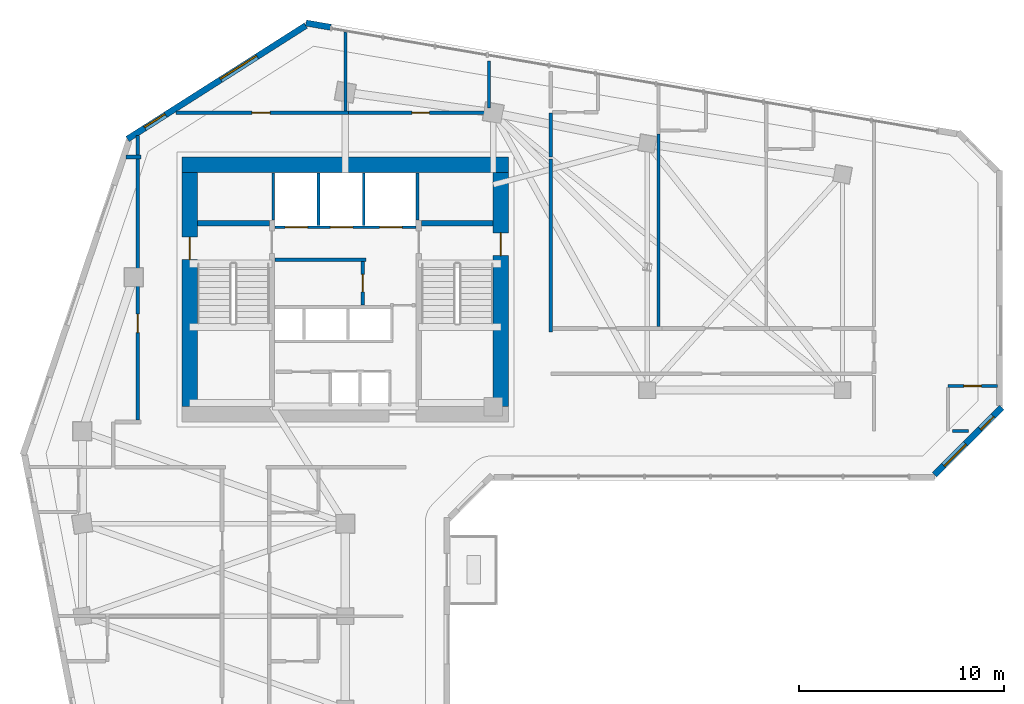
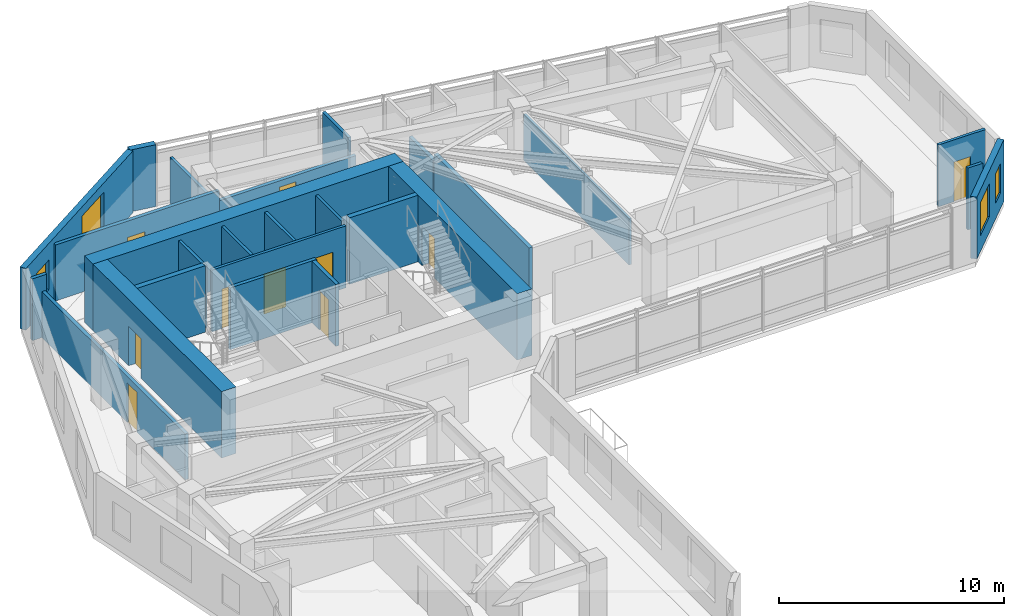
# One storey, part 6 of 10: 26 walls, 10 doors, 4 windows, 14 openings.
"""IFC4 building model written with IfcOpenShell, lengths in metres."""

from ifc_helpers import new_model, si_unit, direction, frame, frame_2d, origin, place, context, subcontext, project, spatial, rectangle, extrude, source, transform, mapped, material, layer, layer_set, type_object, element, fill, save


model = new_model("IFC4")

# Units and contexts
model_context = context("Model", 3, precision=1e-05, world=origin(), true_north=direction((0.0, 1.0)))
body_context = subcontext(model_context, "Body", "Model", "MODEL_VIEW")
ifc_project = project(units=[si_unit("LENGTHUNIT", "METRE"), si_unit("AREAUNIT", "SQUARE_METRE"), si_unit("VOLUMEUNIT", "CUBIC_METRE"), si_unit("PLANEANGLEUNIT", "RADIAN"), si_unit("MASSUNIT", "GRAM", prefix="KILO")], contexts=[model_context])

# Site, building, storey
site_placement = place(None, origin())
site = spatial("IfcSite", under=ifc_project, at=site_placement, CompositionType="ELEMENT")
building_placement = place(site_placement, origin())
building = spatial("IfcBuilding", under=site, at=building_placement, Name="Calvemar Wedge Station Tower", CompositionType="ELEMENT")
storey_placement = place(building_placement, frame((0.0, 0.0, 110.60009765625)))
storey = spatial("IfcBuildingStorey", under=building, at=storey_placement, Name="L26", CompositionType="ELEMENT", Elevation=110.60009765625)

# Walls
ifc_material_1 = material(Name="Concrete C50", Category="concrete")
ifc_layer_1 = layer(ifc_material_1, 0.260009765625)
ifc_layer_set_1 = layer_set([ifc_layer_1], Name="Concrete C50")
wall_type_1 = type_object("IfcWallType", Name="SW-CORE-260", PredefinedType="SHEAR", material=ifc_layer_set_1)
for number, where, z_axis, x_axis, name in (
    (1, (16.60009765625, 43.1298828125, 0.0), (0.0, 0.0, 1.0), (1.0, 0.0, 0.0), "Storey L26 Core Shear Wall STC1-N"),
    (2, (27.5, 43.1298828125, 0.0), (0.0, 0.0, 1.0), (1.0, 0.0, 0.0), "Storey L26 Core Shear Wall STC2-N"),
):
    element("IfcWall", number, at=place(storey_placement, frame(where, z_axis=z_axis, x_axis=x_axis)), inside=storey, type_object=wall_type_1, Name=name, PredefinedType="SHEAR", context=body_context, shape_type="SweptSolid", body=[
        extrude(rectangle(XDim=3.5, YDim=0.260009765625, at=frame_2d((1.75, 0.0))), origin(), (0.0, 0.0, 1.0), 3.599853515625),
    ])
ifc_material_2 = material(Name="Concrete C70", Category="concrete")
ifc_layer_2 = layer(ifc_material_2, 0.75)
ifc_layer_set_2 = layer_set([ifc_layer_2], Name="Concrete C70")
wall_type_2 = type_object("IfcWallType", Name="SW-CORE-750", PredefinedType="SHEAR", material=ifc_layer_set_2)
wall_1_placement = place(storey_placement, frame((15.85009765625, 45.97509765625, 0.0), z_axis=(0.0, 0.0, 1.0), x_axis=(1.0, 0.0, 0.0)))
element("IfcWall", 3, at=wall_1_placement, inside=storey, type_object=wall_type_2, Name="Storey L26 Core Shear Wall N", PredefinedType="SHEAR", context=body_context, shape_type="SweptSolid", body=[
    extrude(rectangle(XDim=15.89990234375, YDim=0.75, at=frame_2d((7.949951171875, 0.0))), origin(), (0.0, 0.0, 1.0), 3.599853515625),
])

# Wall, opening, door
wall_2_placement = place(storey_placement, frame((16.22509765625, 34.199951171875, 0.0), z_axis=(0.0, 0.0, 1.0), x_axis=(0.0, 1.0, 0.0)))
wall_2 = element("IfcWall", 4, at=wall_2_placement, inside=storey, type_object=wall_type_2, Name="Storey L26 Core Shear Wall W", PredefinedType="SHEAR", context=body_context, shape_type="SweptSolid", body=[
    extrude(rectangle(XDim=11.400146484375, YDim=0.75, at=frame_2d((5.7001953125, 0.0))), origin(), (0.0, 0.0, 1.0), 3.599853515625),
])
shared_shape_1 = source(origin(), body_context, "Body", "SweptSolid", [
    extrude(rectangle(XDim=1.10009765625, YDim=2.14990234375, at=frame_2d((0.550048828125, 1.074951171875))), frame((0.0, 0.385009765625, 0.0), z_axis=(0.0, -1.0, 0.0), x_axis=(1.0, 0.0, 0.0)), (0.0, 0.0, 1.0), 0.77001953125),
])
opening_1_placement = place(wall_2_placement, frame((7.14990234375, 0.0, 0.0)))
opening_1 = element("IfcOpeningElement", 5, at=opening_1_placement, cuts=wall_2, Name="Opening FD-90", PredefinedType="OPENING", context=body_context, shape_type="MappedRepresentation", body=[
    mapped(shared_shape_1, transform((0.0, 0.0, 0.0), scale=1.0)),
])
ifc_material_3 = material(Name="Galvanized fire-rated steel door leaf P-90", Category="steel")
door_type_1 = type_object("IfcDoorType", Name="DR-FD90-1100", OperationType="NOTDEFINED", PredefinedType="DOOR", material=ifc_material_3)
shared_shape_2 = source(origin(), body_context, "Body", "SweptSolid", [
    extrude(rectangle(XDim=1.10009765625, YDim=2.14990234375, at=frame_2d((0.550048828125, 1.074951171875))), frame((0.0, 0.02490234375, 0.0), z_axis=(0.0, -1.0, 0.0), x_axis=(1.0, 0.0, 0.0)), (0.0, 0.0, 1.0), 0.050048828125),
])
door_1_placement = place(opening_1_placement, origin())
door_1 = element("IfcDoor", 6, at=door_1_placement, inside=storey, type_object=door_type_1, Name="L26 West Corridor to Exit Stair ST-C1 Door", OperationType="SINGLE_SWING_LEFT", OverallHeight=2.14990234375, OverallWidth=1.10009765625, PredefinedType="DOOR", context=body_context, shape_type="MappedRepresentation", body=[
    mapped(shared_shape_2, transform((0.0, 0.0, 0.0), scale=1.0)),
])
fill(opening_1, door_1)

wall_3_placement = place(storey_placement, frame((31.375, 34.199951171875, 0.0), z_axis=(0.0, 0.0, 1.0), x_axis=(0.0, 1.0, 0.0)))
wall_3 = element("IfcWall", 7, at=wall_3_placement, inside=storey, type_object=wall_type_2, Name="Storey L26 Core Shear Wall E", PredefinedType="SHEAR", context=body_context, shape_type="SweptSolid", body=[
    extrude(rectangle(XDim=11.400146484375, YDim=0.75, at=frame_2d((5.7001953125, 0.0))), origin(), (0.0, 0.0, 1.0), 3.599853515625),
])
opening_2_placement = place(wall_3_placement, frame((7.35009765625, 0.0, 0.0)))
opening_2 = element("IfcOpeningElement", 8, at=opening_2_placement, cuts=wall_3, Name="Opening FD-90", PredefinedType="OPENING", context=body_context, shape_type="MappedRepresentation", body=[
    mapped(shared_shape_1, transform((0.0, 0.0, 0.0), scale=1.0)),
])
door_2_placement = place(opening_2_placement, origin())
door_2 = element("IfcDoor", 9, at=door_2_placement, inside=storey, type_object=door_type_1, Name="L26 East Corridor to Exit Stair ST-C2 Door", OperationType="SINGLE_SWING_RIGHT", OverallHeight=2.14990234375, OverallWidth=1.10009765625, PredefinedType="DOOR", context=body_context, shape_type="MappedRepresentation", body=[
    mapped(shared_shape_2, transform((0.0, 0.0, 0.0), scale=1.0)),
])
fill(opening_2, door_2)

# Wall
ifc_material_4 = material(Name="Double-stud fire-rated corridor partition")
ifc_layer_3 = layer(ifc_material_4, 0.179931640625)
ifc_layer_set_3 = layer_set([ifc_layer_3], Name="Double-stud fire-rated corridor partition")
wall_type_3 = type_object("IfcWallType", Name="W-CORR-180", PredefinedType="PARTITIONING", material=ifc_layer_set_3)
wall_4_placement = place(storey_placement, frame((24.81005859375, 41.35009765625, 0.0), z_axis=(0.0, 0.0, 1.0), x_axis=(-1.0, 0.0, 0.0)))
element("IfcWall", 10, at=wall_4_placement, inside=storey, type_object=wall_type_3, Name="Storey L26 Interior Partition WL-L26-001", PredefinedType="PARTITIONING", context=body_context, shape_type="SweptSolid", body=[
    extrude(rectangle(XDim=4.43017578125, YDim=0.179931640625, at=frame_2d((2.215087890625, 0.0))), origin(), (0.0, 0.0, 1.0), 3.349853515625),
])

# Wall, opening, door
wall_5_placement = place(storey_placement, frame((24.64990234375, 41.256103515625, 0.0), z_axis=(0.0, 0.0, 1.0), x_axis=(0.0, -1.0, 0.0)))
wall_5 = element("IfcWall", 11, at=wall_5_placement, inside=storey, type_object=wall_type_3, Name="Storey L26 Interior Partition WL-L26-002", PredefinedType="PARTITIONING", context=body_context, shape_type="SweptSolid", body=[
    extrude(rectangle(XDim=2.106201171875, YDim=0.179931640625, at=frame_2d((1.05322265625, 0.0))), origin(), (0.0, 0.0, 1.0), 3.349853515625),
])
shared_shape_3 = source(origin(), body_context, "Body", "SweptSolid", [
    extrude(rectangle(XDim=0.85009765625, YDim=2.14990234375, at=frame_2d((0.425048828125, 1.074951171875))), frame((0.0, 0.10009765625, 0.0), z_axis=(0.0, -1.0, 0.0), x_axis=(1.0, 0.0, 0.0)), (0.0, 0.0, 1.0), 0.199951171875),
])
opening_3_placement = place(wall_5_placement, frame((0.6279296875, 0.0, 0.0)))
opening_3 = element("IfcOpeningElement", 12, at=opening_3_placement, cuts=wall_5, Name="Opening FD-60S", PredefinedType="OPENING", context=body_context, shape_type="MappedRepresentation", body=[
    mapped(shared_shape_3, transform((0.0, 0.0, 0.0), scale=1.0)),
])
ifc_material_5 = material(Name="Fire-rated steel and hardwood service door EI 60", Category="steel")
door_type_2 = type_object("IfcDoorType", Name="DR-CORE-FD60-850", OperationType="NOTDEFINED", PredefinedType="DOOR", material=ifc_material_5)
shared_shape_4 = source(origin(), body_context, "Body", "SweptSolid", [
    extrude(rectangle(XDim=0.85009765625, YDim=2.14990234375, at=frame_2d((0.425048828125, 1.074951171875))), frame((0.0, 0.02490234375, 0.0), z_axis=(0.0, -1.0, 0.0), x_axis=(1.0, 0.0, 0.0)), (0.0, 0.0, 1.0), 0.050048828125),
])
door_3_placement = place(opening_3_placement, origin())
door_3 = element("IfcDoor", 13, at=door_3_placement, inside=storey, type_object=door_type_2, Name="L26 Cleaner and Linen Store Door", OperationType="SINGLE_SWING_LEFT", OverallHeight=2.14990234375, OverallWidth=0.85009765625, PredefinedType="DOOR", context=body_context, shape_type="MappedRepresentation", body=[
    mapped(shared_shape_4, transform((0.0, 0.0, 0.0), scale=1.0)),
])
fill(opening_3, door_3)

wall_6_placement = place(storey_placement, frame((13.699951171875, 33.5439453125, 0.0), z_axis=(0.0, 0.0, 1.0), x_axis=(0.0, 1.0, 0.0)))
wall_6 = element("IfcWall", 14, at=wall_6_placement, inside=storey, type_object=wall_type_3, Name="Storey L26 Interior Partition WL-L26-010", PredefinedType="PARTITIONING", context=body_context, shape_type="SweptSolid", body=[
    extrude(rectangle(XDim=13.860107421875, YDim=0.179931640625, at=frame_2d((6.93017578125, 0.0))), origin(), (0.0, 0.0, 1.0), 2.491943359375),
])
shared_shape_5 = source(origin(), body_context, "Body", "SweptSolid", [
    extrude(rectangle(XDim=0.89990234375, YDim=2.14990234375, at=frame_2d((0.449951171875, 1.074951171875))), frame((0.0, 0.10009765625, 0.0), z_axis=(0.0, -1.0, 0.0), x_axis=(1.0, 0.0, 0.0)), (0.0, 0.0, 1.0), 0.199951171875),
])
opening_4_placement = place(wall_6_placement, frame((4.252685546875, 0.0, 0.0)))
opening_4 = element("IfcOpeningElement", 15, at=opening_4_placement, cuts=wall_6, Name="Opening D-01", PredefinedType="OPENING", context=body_context, shape_type="MappedRepresentation", body=[
    mapped(shared_shape_5, transform((0.0, 0.0, 0.0), scale=1.0)),
])
ifc_material_6 = material(Name="Architectural hardwood acoustic swing door", Category="wood")
door_type_3 = type_object("IfcDoorType", Name="DR-INT-900", OperationType="NOTDEFINED", PredefinedType="DOOR", material=ifc_material_6)
shared_shape_6 = source(origin(), body_context, "Body", "SweptSolid", [
    extrude(rectangle(XDim=0.89990234375, YDim=2.14990234375, at=frame_2d((0.449951171875, 1.074951171875))), frame((0.0, 0.02490234375, 0.0), z_axis=(0.0, -1.0, 0.0), x_axis=(1.0, 0.0, 0.0)), (0.0, 0.0, 1.0), 0.050048828125),
])
door_4_placement = place(opening_4_placement, origin())
door_4 = element("IfcDoor", 16, at=door_4_placement, inside=storey, type_object=door_type_3, Name="L26 Executive Lounge Door", OperationType="SINGLE_SWING_RIGHT", OverallHeight=2.14990234375, OverallWidth=0.89990234375, PredefinedType="DOOR", context=body_context, shape_type="MappedRepresentation", body=[
    mapped(shared_shape_6, transform((0.0, 0.0, 0.0), scale=1.0)),
])
fill(opening_4, door_4)

# Wall
wall_7_placement = place(storey_placement, frame((13.860107421875, 46.35009765625, 0.0), z_axis=(0.0, 0.0, 1.0), x_axis=(-1.0, 0.0, 0.0)))
element("IfcWall", 17, at=wall_7_placement, inside=storey, type_object=wall_type_3, Name="Storey L26 Interior Partition WL-L26-011", PredefinedType="PARTITIONING", context=body_context, shape_type="SweptSolid", body=[
    extrude(rectangle(XDim=0.73486328125, YDim=0.179931640625, at=frame_2d((0.367431640625, 0.0))), origin(), (0.0, 0.0, 1.0), 3.349853515625),
])

# Wall, opening, door
wall_8_placement = place(storey_placement, frame((15.552490234375, 48.5, 0.0), z_axis=(0.0, 0.0, 1.0), x_axis=(1.0, 0.0, 0.0)))
wall_8 = element("IfcWall", 18, at=wall_8_placement, inside=storey, type_object=wall_type_3, Name="Storey L26 Interior Partition WL-L26-012", PredefinedType="PARTITIONING", context=body_context, shape_type="SweptSolid", body=[
    extrude(rectangle(XDim=8.407470703125, YDim=0.179931640625, at=frame_2d((4.20361328125, 0.0))), origin(), (0.0, 0.0, 1.0), 3.033935546875),
])
opening_5_placement = place(wall_8_placement, frame((3.69287109375, 0.0, 0.0)))
opening_5 = element("IfcOpeningElement", 19, at=opening_5_placement, cuts=wall_8, Name="Opening D-01", PredefinedType="OPENING", context=body_context, shape_type="MappedRepresentation", body=[
    mapped(shared_shape_5, transform((0.0, 0.0, 0.0), scale=1.0)),
])
door_5_placement = place(opening_5_placement, origin())
door_5 = element("IfcDoor", 20, at=door_5_placement, inside=storey, type_object=door_type_3, Name="L26 Guest Pantry Door", OperationType="SINGLE_SWING_LEFT", OverallHeight=2.14990234375, OverallWidth=0.89990234375, PredefinedType="DOOR", context=body_context, shape_type="MappedRepresentation", body=[
    mapped(shared_shape_6, transform((0.0, 0.0, 0.0), scale=1.0)),
])
fill(opening_5, door_5)

wall_9_placement = place(storey_placement, frame((23.9619140625, 48.5, 0.0), z_axis=(0.0, 0.0, 1.0), x_axis=(1.0, 0.0, 0.0)))
wall_9 = element("IfcWall", 21, at=wall_9_placement, inside=storey, type_object=wall_type_3, Name="Storey L26 Interior Partition WL-L26-013", PredefinedType="PARTITIONING", context=body_context, shape_type="SweptSolid", body=[
    extrude(rectangle(XDim=6.998046875, YDim=0.179931640625, at=frame_2d((3.4990234375, 0.0))), origin(), (0.0, 0.0, 1.0), 2.491943359375),
])
opening_6_placement = place(wall_9_placement, frame((3.073974609375, 0.0, 0.0)))
opening_6 = element("IfcOpeningElement", 22, at=opening_6_placement, cuts=wall_9, Name="Opening D-02", PredefinedType="OPENING", context=body_context, shape_type="MappedRepresentation", body=[
    mapped(shared_shape_3, transform((0.0, 0.0, 0.0), scale=1.0)),
])
ifc_material_7 = material(Name="Moisture-sealed bathroom hardwood swing door", Category="wood")
door_type_4 = type_object("IfcDoorType", Name="DR-WET-850", OperationType="NOTDEFINED", PredefinedType="DOOR", material=ifc_material_7)
shared_shape_7 = source(origin(), body_context, "Body", "SweptSolid", [
    extrude(rectangle(XDim=0.85009765625, YDim=2.14990234375, at=frame_2d((0.425048828125, 1.074951171875))), frame((0.0, 0.02490234375, 0.0), z_axis=(0.0, -1.0, 0.0), x_axis=(1.0, 0.0, 0.0)), (0.0, 0.0, 1.0), 0.050048828125),
])
door_6_placement = place(opening_6_placement, origin())
door_6 = element("IfcDoor", 23, at=door_6_placement, inside=storey, type_object=door_type_4, Name="L26 Accessible WC Door", OperationType="SINGLE_SWING_RIGHT", OverallHeight=2.14990234375, OverallWidth=0.85009765625, PredefinedType="DOOR", context=body_context, shape_type="MappedRepresentation", body=[
    mapped(shared_shape_7, transform((0.0, 0.0, 0.0), scale=1.0)),
])
fill(opening_6, door_6)

# Walls
wall_10_placement = place(storey_placement, frame((33.800048828125, 48.5, 0.0), z_axis=(0.0, 0.0, 1.0), x_axis=(0.0, -1.0, 0.0)))
element("IfcWall", 24, at=wall_10_placement, inside=storey, type_object=wall_type_3, Name="Storey L26 Interior Partition WL-L26-014", PredefinedType="PARTITIONING", context=body_context, shape_type="SweptSolid", body=[
    extrude(rectangle(XDim=2.14990234375, YDim=0.179931640625, at=frame_2d((1.074951171875, 0.0))), origin(), (0.0, 0.0, 1.0), 2.491943359375),
])
wall_11_placement = place(storey_placement, frame((33.800048828125, 46.256103515625, 0.0), z_axis=(0.0, 0.0, 1.0), x_axis=(0.0, -1.0, 0.0)))
element("IfcWall", 25, at=wall_11_placement, inside=storey, type_object=wall_type_3, Name="Storey L26 Interior Partition WL-L26-015", PredefinedType="PARTITIONING", context=body_context, shape_type="SweptSolid", body=[
    extrude(rectangle(XDim=8.416015625, YDim=0.179931640625, at=frame_2d((4.2080078125, 0.0))), origin(), (0.0, 0.0, 1.0), 2.921875),
])

# Wall, openings, windows
ifc_material_8 = material(Name="Precast concrete C45", Category="concrete")
ifc_layer_4 = layer(ifc_material_8, 0.300048828125)
ifc_layer_set_4 = layer_set([ifc_layer_4], Name="Precast concrete C45")
wall_type_4 = type_object("IfcWallType", Name="W-EXT-GFRC-300", PredefinedType="SOLIDWALL", material=ifc_layer_set_4)
wall_12_placement = place(storey_placement, frame((52.475830078125, 30.8798828125, 0.0), z_axis=(0.0, 0.0, 1.0), x_axis=(0.707106781187, 0.707106781187, 0.0)))
wall_12 = element("IfcWall", 26, at=wall_12_placement, inside=storey, type_object=wall_type_4, Name="Storey L26 Bronze GFRC Exterior Wall 7", PredefinedType="SOLIDWALL", context=body_context, shape_type="SweptSolid", body=[
    extrude(rectangle(XDim=4.638916015625, YDim=0.300048828125, at=frame_2d((2.3193359375, 0.0))), origin(), (0.0, 0.0, 1.0), 3.349853515625),
])
shared_shape_8 = source(origin(), body_context, "Body", "SweptSolid", [
    extrude(rectangle(XDim=1.5, YDim=1.800048828125, at=frame_2d((0.75, 0.89990234375))), frame((0.0, 0.16015625, 0.0), z_axis=(0.0, -1.0, 0.0), x_axis=(1.0, 0.0, 0.0)), (0.0, 0.0, 1.0), 0.320068359375),
])
opening_7_placement = place(wall_12_placement, frame((0.632080078125, 0.0, 0.85009765625)))
opening_7 = element("IfcOpeningElement", 27, at=opening_7_placement, cuts=wall_12, Name="Opening W3", PredefinedType="OPENING", context=body_context, shape_type="MappedRepresentation", body=[
    mapped(shared_shape_8, transform((0.0, 0.0, 0.0), scale=1.0)),
])
shared_shape_9 = source(origin(), body_context, "Body", "SweptSolid", [
    extrude(rectangle(XDim=0.89990234375, YDim=1.60009765625, at=frame_2d((0.449951171875, 0.800048828125))), frame((0.0, 0.16015625, 0.0), z_axis=(0.0, -1.0, 0.0), x_axis=(1.0, 0.0, 0.0)), (0.0, 0.0, 1.0), 0.320068359375),
])
opening_8_placement = place(wall_12_placement, frame((3.15087890625, 0.0, 0.85009765625)))
opening_8 = element("IfcOpeningElement", 28, at=opening_8_placement, cuts=wall_12, Name="Opening W7", PredefinedType="OPENING", context=body_context, shape_type="MappedRepresentation", body=[
    mapped(shared_shape_9, transform((0.0, 0.0, 0.0), scale=1.0)),
])
ifc_material_9 = material(Name="Low-E laminated insulated glass", Category="glass")
window_type_1 = type_object("IfcWindowType", Name="WIN-EXT-3", PartitioningType="SINGLE_PANEL", PredefinedType="WINDOW", material=ifc_material_9)
shared_shape_10 = source(origin(), body_context, "Body", "SweptSolid", [
    extrude(rectangle(XDim=1.5, YDim=1.800048828125, at=frame_2d((0.75, 0.89990234375))), frame((0.0, -0.014892578125, 0.0), z_axis=(0.0, -1.0, 0.0), x_axis=(1.0, 0.0, 0.0)), (0.0, 0.0, 1.0), 0.06005859375),
])
window_1_placement = place(opening_7_placement, origin())
window_1 = element("IfcWindow", 29, at=window_1_placement, inside=storey, type_object=window_type_1, Name="Storey L26 Recessed Window 7.1", OverallHeight=1.800048828125, OverallWidth=1.5, PartitioningType="SINGLE_PANEL", PredefinedType="WINDOW", context=body_context, shape_type="MappedRepresentation", body=[
    mapped(shared_shape_10, transform((0.0, 0.0, 0.0), scale=1.0)),
])
fill(opening_7, window_1)
window_type_2 = type_object("IfcWindowType", Name="WIN-EXT-7", PartitioningType="SINGLE_PANEL", PredefinedType="WINDOW", material=ifc_material_9)
shared_shape_11 = source(origin(), body_context, "Body", "SweptSolid", [
    extrude(rectangle(XDim=0.89990234375, YDim=1.60009765625, at=frame_2d((0.449951171875, 0.800048828125))), frame((0.0, -0.014892578125, 0.0), z_axis=(0.0, -1.0, 0.0), x_axis=(1.0, 0.0, 0.0)), (0.0, 0.0, 1.0), 0.06005859375),
])
window_2_placement = place(opening_8_placement, origin())
window_2 = element("IfcWindow", 30, at=window_2_placement, inside=storey, type_object=window_type_2, Name="Storey L26 Recessed Window 7.2", OverallHeight=1.60009765625, OverallWidth=0.89990234375, PartitioningType="SINGLE_PANEL", PredefinedType="WINDOW", context=body_context, shape_type="MappedRepresentation", body=[
    mapped(shared_shape_11, transform((0.0, 0.0, 0.0), scale=1.0)),
])
fill(opening_8, window_2)

# Wall
wall_13_placement = place(storey_placement, frame((23.093994140625, 52.661865234375, 0.0), z_axis=(0.0, 0.0, 1.0), x_axis=(-0.985845658291, 0.167655414553, 0.0)))
element("IfcWall", 31, at=wall_13_placement, inside=storey, type_object=wall_type_4, Name="Storey L26 Bronze GFRC Corner Pier 10B", PredefinedType="SOLIDWALL", context=body_context, shape_type="SweptSolid", body=[
    extrude(rectangle(XDim=1.2275390625, YDim=0.300048828125, at=frame_2d((0.61376953125, 0.0))), origin(), (0.0, 0.0, 1.0), 3.349853515625),
])

# Wall, openings, windows
wall_14_placement = place(storey_placement, frame((21.874755859375, 52.742431640625, 0.0), z_axis=(0.0, 0.0, 1.0), x_axis=(-0.843662465249, -0.536873956092, 0.0)))
wall_14 = element("IfcWall", 32, at=wall_14_placement, inside=storey, type_object=wall_type_4, Name="Storey L26 Bronze GFRC Exterior Wall 11", PredefinedType="SOLIDWALL", context=body_context, shape_type="SweptSolid", body=[
    extrude(rectangle(XDim=10.283935546875, YDim=0.300048828125, at=frame_2d((5.14208984375, 0.0))), origin(), (0.0, 0.0, 1.0), 3.349853515625),
])
shared_shape_12 = source(origin(), body_context, "Body", "SweptSolid", [
    extrude(rectangle(XDim=2.10009765625, YDim=2.0, at=frame_2d((1.050048828125, 1.0))), frame((0.0, 0.16015625, 0.0), z_axis=(0.0, -1.0, 0.0), x_axis=(1.0, 0.0, 0.0)), (0.0, 0.0, 1.0), 0.320068359375),
])
opening_9_placement = place(wall_14_placement, frame((2.805908203125, 0.0, 0.85009765625)))
opening_9 = element("IfcOpeningElement", 33, at=opening_9_placement, cuts=wall_14, Name="Opening W4", PredefinedType="OPENING", context=body_context, shape_type="MappedRepresentation", body=[
    mapped(shared_shape_12, transform((0.0, 0.0, 0.0), scale=1.0)),
])
shared_shape_13 = source(origin(), body_context, "Body", "SweptSolid", [
    extrude(rectangle(XDim=1.199951171875, YDim=1.60009765625, at=frame_2d((0.60009765625, 0.800048828125))), frame((0.0, 0.16015625, 0.0), z_axis=(0.0, -1.0, 0.0), x_axis=(1.0, 0.0, 0.0)), (0.0, 0.0, 1.0), 0.320068359375),
])
opening_10_placement = place(wall_14_placement, frame((8.0869140625, 0.0, 0.85009765625)))
opening_10 = element("IfcOpeningElement", 34, at=opening_10_placement, cuts=wall_14, Name="Opening W5", PredefinedType="OPENING", context=body_context, shape_type="MappedRepresentation", body=[
    mapped(shared_shape_13, transform((0.0, 0.0, 0.0), scale=1.0)),
])
window_type_3 = type_object("IfcWindowType", Name="WIN-EXT-4", PartitioningType="SINGLE_PANEL", PredefinedType="WINDOW", material=ifc_material_9)
shared_shape_14 = source(origin(), body_context, "Body", "SweptSolid", [
    extrude(rectangle(XDim=2.10009765625, YDim=2.0, at=frame_2d((1.050048828125, 1.0))), frame((0.0, -0.014892578125, 0.0), z_axis=(0.0, -1.0, 0.0), x_axis=(1.0, 0.0, 0.0)), (0.0, 0.0, 1.0), 0.06005859375),
])
window_3_placement = place(opening_9_placement, origin())
window_3 = element("IfcWindow", 35, at=window_3_placement, inside=storey, type_object=window_type_3, Name="Storey L26 Recessed Window 11.1", OverallHeight=2.0, OverallWidth=2.10009765625, PartitioningType="SINGLE_PANEL", PredefinedType="WINDOW", context=body_context, shape_type="MappedRepresentation", body=[
    mapped(shared_shape_14, transform((0.0, 0.0, 0.0), scale=1.0)),
])
fill(opening_9, window_3)
window_type_4 = type_object("IfcWindowType", Name="WIN-EXT-5", PartitioningType="SINGLE_PANEL", PredefinedType="WINDOW", material=ifc_material_9)
shared_shape_15 = source(origin(), body_context, "Body", "SweptSolid", [
    extrude(rectangle(XDim=1.199951171875, YDim=1.60009765625, at=frame_2d((0.60009765625, 0.800048828125))), frame((0.0, -0.014892578125, 0.0), z_axis=(0.0, -1.0, 0.0), x_axis=(1.0, 0.0, 0.0)), (0.0, 0.0, 1.0), 0.06005859375),
])
window_4_placement = place(opening_10_placement, origin())
window_4 = element("IfcWindow", 36, at=window_4_placement, inside=storey, type_object=window_type_4, Name="Storey L26 Recessed Window 11.2", OverallHeight=1.60009765625, OverallWidth=1.199951171875, PartitioningType="SINGLE_PANEL", PredefinedType="WINDOW", context=body_context, shape_type="MappedRepresentation", body=[
    mapped(shared_shape_15, transform((0.0, 0.0, 0.0), scale=1.0)),
])
fill(opening_10, window_4)

# Wall, openings, doors
ifc_material_10 = material(Name="Reinforced concrete blockwork lift shaft wall", Category="masonry")
ifc_layer_5 = layer(ifc_material_10, 0.139892578125)
ifc_layer_set_5 = layer_set([ifc_layer_5], Name="Reinforced concrete blockwork lift shaft wall")
wall_type_5 = type_object("IfcWallType", Name="W-LIFT-160", PredefinedType="SOLIDWALL", material=ifc_layer_set_5)
wall_15_placement = place(storey_placement, frame((20.3701171875, 42.929931640625, 0.0), z_axis=(0.0, 0.0, 1.0), x_axis=(1.0, 0.0, 0.0)))
wall_15 = element("IfcWall", 37, at=wall_15_placement, inside=storey, type_object=wall_type_5, Name="Storey L26 Firefighting and Service Lift Shaft Front Wall", PredefinedType="SOLIDWALL", context=body_context, shape_type="SweptSolid", body=[
    extrude(rectangle(XDim=6.85986328125, YDim=0.139892578125, at=frame_2d((3.429931640625, 0.0))), origin(), (0.0, 0.0, 1.0), 3.349853515625),
])
shared_shape_16 = source(origin(), body_context, "Body", "SweptSolid", [
    extrude(rectangle(XDim=1.10009765625, YDim=2.14990234375, at=frame_2d((0.550048828125, 1.074951171875))), frame((0.0, 0.080078125, 0.0), z_axis=(0.0, -1.0, 0.0), x_axis=(1.0, 0.0, 0.0)), (0.0, 0.0, 1.0), 0.159912109375),
])
opening_11_placement = place(wall_15_placement, frame((0.5, 0.0, 0.0)))
opening_11 = element("IfcOpeningElement", 38, at=opening_11_placement, cuts=wall_15, Name="Opening LD-FF", PredefinedType="OPENING", context=body_context, shape_type="MappedRepresentation", body=[
    mapped(shared_shape_16, transform((0.0, 0.0, 0.0), scale=1.0)),
])
opening_12_placement = place(wall_15_placement, frame((2.699951171875, 0.0, 0.0)))
opening_12 = element("IfcOpeningElement", 39, at=opening_12_placement, cuts=wall_15, Name="Opening LD-FF", PredefinedType="OPENING", context=body_context, shape_type="MappedRepresentation", body=[
    mapped(shared_shape_16, transform((0.0, 0.0, 0.0), scale=1.0)),
])
opening_13_placement = place(wall_15_placement, frame((5.10009765625, 0.0, 0.0)))
opening_13 = element("IfcOpeningElement", 40, at=opening_13_placement, cuts=wall_15, Name="Opening LD-STN", PredefinedType="OPENING", context=body_context, shape_type="MappedRepresentation", body=[
    mapped(shared_shape_16, transform((0.0, 0.0, 0.0), scale=1.0)),
])
ifc_material_11 = material(Name="Stainless steel firefighting lift sliding landing door", Category="steel")
door_type_5 = type_object("IfcDoorType", Name="DR-LD-FF-1100", OperationType="SLIDING_TO_LEFT", PredefinedType="DOOR", material=ifc_material_11)
shared_shape_17 = source(origin(), body_context, "Body", "SweptSolid", [
    extrude(rectangle(XDim=1.10009765625, YDim=2.14990234375, at=frame_2d((0.550048828125, 1.074951171875))), frame((0.0, 0.02490234375, 0.0), z_axis=(0.0, -1.0, 0.0), x_axis=(1.0, 0.0, 0.0)), (0.0, 0.0, 1.0), 0.050048828125),
])
door_7_placement = place(opening_11_placement, origin())
door_7 = element("IfcDoor", 41, at=door_7_placement, inside=storey, type_object=door_type_5, Name="L26 Lift FF-01 Sliding Landing Door", OperationType="SLIDING_TO_LEFT", OverallHeight=2.14990234375, OverallWidth=1.10009765625, PredefinedType="DOOR", context=body_context, shape_type="MappedRepresentation", body=[
    mapped(shared_shape_17, transform((0.0, 0.0, 0.0), scale=1.0)),
])
fill(opening_11, door_7)
door_8_placement = place(opening_12_placement, origin())
door_8 = element("IfcDoor", 42, at=door_8_placement, inside=storey, type_object=door_type_5, Name="L26 Lift FF-02 Sliding Landing Door", OperationType="SLIDING_TO_RIGHT", OverallHeight=2.14990234375, OverallWidth=1.10009765625, PredefinedType="DOOR", context=body_context, shape_type="MappedRepresentation", body=[
    mapped(shared_shape_17, transform((0.0, 0.0, 0.0), scale=1.0)),
])
fill(opening_12, door_8)
ifc_material_12 = material(Name="Stainless steel transit lift sliding landing door", Category="steel")
door_type_6 = type_object("IfcDoorType", Name="DR-LD-PAX-1100", OperationType="SLIDING_TO_LEFT", PredefinedType="DOOR", material=ifc_material_12)
shared_shape_18 = source(origin(), body_context, "Body", "SweptSolid", [
    extrude(rectangle(XDim=1.10009765625, YDim=2.14990234375, at=frame_2d((0.550048828125, 1.074951171875))), frame((0.0, 0.02490234375, 0.0), z_axis=(0.0, -1.0, 0.0), x_axis=(1.0, 0.0, 0.0)), (0.0, 0.0, 1.0), 0.050048828125),
])
door_9_placement = place(opening_13_placement, origin())
door_9 = element("IfcDoor", 43, at=door_9_placement, inside=storey, type_object=door_type_6, Name="L26 Lift SV-01 Sliding Landing Door", OperationType="SLIDING_TO_LEFT", OverallHeight=2.14990234375, OverallWidth=1.10009765625, PredefinedType="DOOR", context=body_context, shape_type="MappedRepresentation", body=[
    mapped(shared_shape_18, transform((0.0, 0.0, 0.0), scale=1.0)),
])
fill(opening_13, door_9)

# Walls
for number, where, z_axis, x_axis, name in (
    (44, (20.2900390625, 43.280029296875, 0.0), (0.0, 0.0, 1.0), (0.0, 1.0, 0.0), "Storey L26 Firefighting Lift Shaft Enclosure Wall W"),
    (45, (27.31005859375, 43.280029296875, 0.0), (0.0, 0.0, 1.0), (0.0, 1.0, 0.0), "Storey L26 Firefighting Lift Shaft Enclosure Wall E"),
):
    element("IfcWall", number, at=place(storey_placement, frame(where, z_axis=z_axis, x_axis=x_axis)), inside=storey, type_object=wall_type_5, Name=name, PredefinedType="SOLIDWALL", context=body_context, shape_type="SweptSolid", body=[
        extrude(rectangle(XDim=2.300048828125, YDim=0.139892578125, at=frame_2d((1.14990234375, 0.0))), origin(), (0.0, 0.0, 1.0), 3.349853515625),
    ])
for number, where, z_axis, x_axis, name in (
    (46, (22.5, 43.02001953125, 0.0), (0.0, 0.0, 1.0), (0.0, 1.0, 0.0), "Storey L26 Firefighting Lift Shaft Enclosure Wall D1"),
    (47, (24.699951171875, 43.02001953125, 0.0), (0.0, 0.0, 1.0), (0.0, 1.0, 0.0), "Storey L26 Firefighting Lift Shaft Enclosure Wall D2"),
):
    element("IfcWall", number, at=place(storey_placement, frame(where, z_axis=z_axis, x_axis=x_axis)), inside=storey, type_object=wall_type_5, Name=name, PredefinedType="SOLIDWALL", context=body_context, shape_type="SweptSolid", body=[
        extrude(rectangle(XDim=2.56005859375, YDim=0.139892578125, at=frame_2d((1.280029296875, 0.0))), origin(), (0.0, 0.0, 1.0), 3.349853515625),
    ])
ifc_material_13 = material(Name="Insulated acoustic gypsum stud partition")
ifc_layer_6 = layer(ifc_material_13, 0.125)
ifc_layer_set_6 = layer_set([ifc_layer_6], Name="Insulated acoustic gypsum stud partition")
wall_type_6 = type_object("IfcWallType", Name="W-PART-125", PredefinedType="PARTITIONING", material=ifc_layer_set_6)
wall_16_placement = place(storey_placement, frame((39.044921875, 47.470458984375, 0.0), z_axis=(0.0, 0.0, 1.0), x_axis=(0.0, -1.0, 0.0)))
element("IfcWall", 48, at=wall_16_placement, inside=storey, type_object=wall_type_6, Name="Storey L26 Interior Partition WL-L26-027", PredefinedType="PARTITIONING", context=body_context, shape_type="SweptSolid", body=[
    extrude(rectangle(XDim=9.37646484375, YDim=0.125, at=frame_2d((4.688232421875, 0.0))), origin(), (0.0, 0.0, 1.0), 2.491943359375),
])
ifc_material_14 = material(Name="Moisture-resistant acoustic bathroom partition")
ifc_layer_7 = layer(ifc_material_14, 0.14990234375)
ifc_layer_set_7 = layer_set([ifc_layer_7], Name="Moisture-resistant acoustic bathroom partition")
wall_type_7 = type_object("IfcWallType", Name="W-WET-150", PredefinedType="PARTITIONING", material=ifc_layer_set_7)
wall_17_placement = place(storey_placement, frame((23.800048828125, 52.425048828125, 0.0), z_axis=(0.0, 0.0, 1.0), x_axis=(0.0, -1.0, 0.0)))
element("IfcWall", 49, at=wall_17_placement, inside=storey, type_object=wall_type_7, Name="Storey L26 Interior Partition WL-L26-018", PredefinedType="PARTITIONING", context=body_context, shape_type="SweptSolid", body=[
    extrude(rectangle(XDim=3.8310546875, YDim=0.14990234375, at=frame_2d((1.91552734375, 0.0))), origin(), (0.0, 0.0, 1.0), 2.491943359375),
])

# Wall, opening, door
wall_18_placement = place(storey_placement, frame((53.135009765625, 35.199951171875, 0.0), z_axis=(0.0, 0.0, 1.0), x_axis=(1.0, 0.0, 0.0)))
wall_18 = element("IfcWall", 50, at=wall_18_placement, inside=storey, type_object=wall_type_7, Name="Storey L26 Interior Partition WL-L26-035", PredefinedType="PARTITIONING", context=body_context, shape_type="SweptSolid", body=[
    extrude(rectangle(XDim=2.39990234375, YDim=0.14990234375, at=frame_2d((1.199951171875, 0.0))), origin(), (0.0, 0.0, 1.0), 3.349853515625),
])
shared_shape_19 = source(origin(), body_context, "Body", "SweptSolid", [
    extrude(rectangle(XDim=0.85009765625, YDim=2.14990234375, at=frame_2d((0.425048828125, 1.074951171875))), frame((0.0, 0.0849609375, 0.0), z_axis=(0.0, -1.0, 0.0), x_axis=(1.0, 0.0, 0.0)), (0.0, 0.0, 1.0), 0.169921875),
])
opening_14_placement = place(wall_18_placement, frame((0.77490234375, 0.0, 0.0)))
opening_14 = element("IfcOpeningElement", 51, at=opening_14_placement, cuts=wall_18, Name="Opening D-02", PredefinedType="OPENING", context=body_context, shape_type="MappedRepresentation", body=[
    mapped(shared_shape_19, transform((0.0, 0.0, 0.0), scale=1.0)),
])
door_10_placement = place(opening_14_placement, origin())
door_10 = element("IfcDoor", 52, at=door_10_placement, inside=storey, type_object=door_type_4, Name="L26 En-Suite Bathroom Door", OperationType="SINGLE_SWING_LEFT", OverallHeight=2.14990234375, OverallWidth=0.85009765625, PredefinedType="DOOR", context=body_context, shape_type="MappedRepresentation", body=[
    mapped(shared_shape_7, transform((0.0, 0.0, 0.0), scale=1.0)),
])
fill(opening_14, door_10)

# Walls
wall_19_placement = place(storey_placement, frame((30.800048828125, 51.011474609375, 0.0), z_axis=(0.0, 0.0, 1.0), x_axis=(0.0, -1.0, 0.0)))
element("IfcWall", 53, at=wall_19_placement, inside=storey, type_object=wall_type_7, Name="Storey L26 Bathroom Enclosure Wall WL-L26-056", PredefinedType="PARTITIONING", context=body_context, shape_type="SweptSolid", body=[
    extrude(rectangle(XDim=2.29150390625, YDim=0.14990234375, at=frame_2d((1.145751953125, 0.0))), origin(), (0.0, 0.0, 1.0), 3.349853515625),
])
wall_20_placement = place(storey_placement, frame((54.1220703125, 33.0, 0.0), z_axis=(0.0, 0.0, 1.0), x_axis=(-1.0, 0.0, 0.0)))
element("IfcWall", 54, at=wall_20_placement, inside=storey, type_object=wall_type_7, Name="Storey L26 Bathroom Enclosure Wall WL-L26-058", PredefinedType="PARTITIONING", context=body_context, shape_type="SweptSolid", body=[
    extrude(rectangle(XDim=0.76708984375, YDim=0.14990234375, at=frame_2d((0.383544921875, 0.0))), origin(), (0.0, 0.0, 1.0), 3.349853515625),
])

save(model, "model.ifc")
